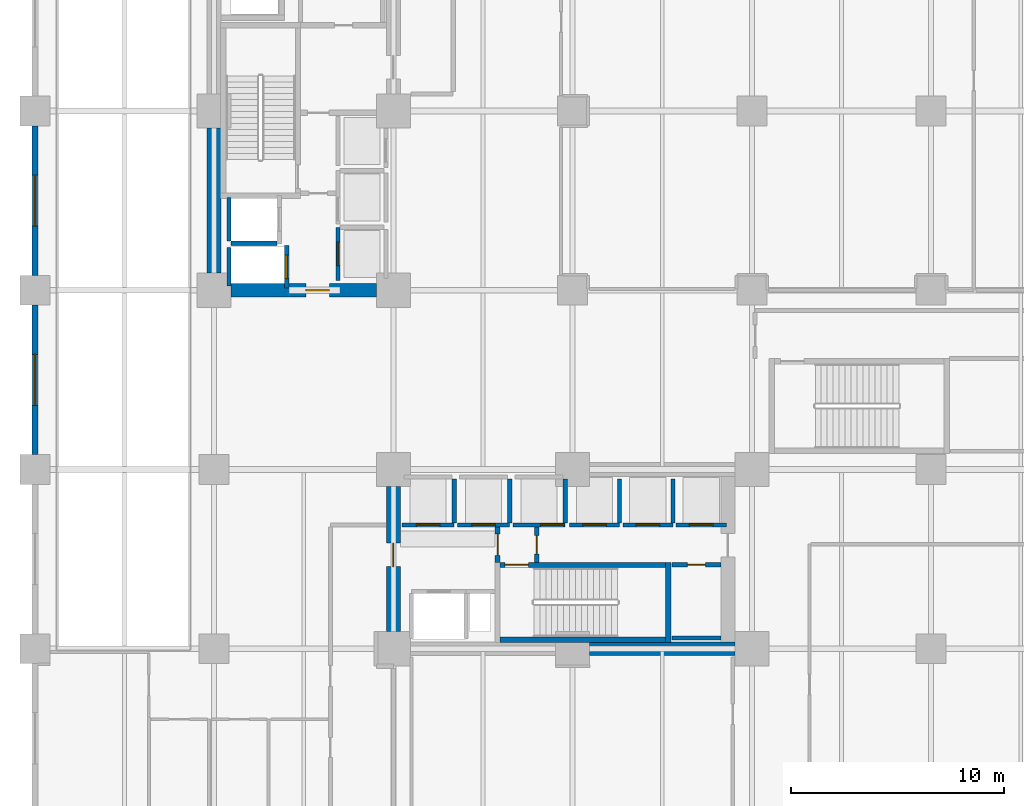
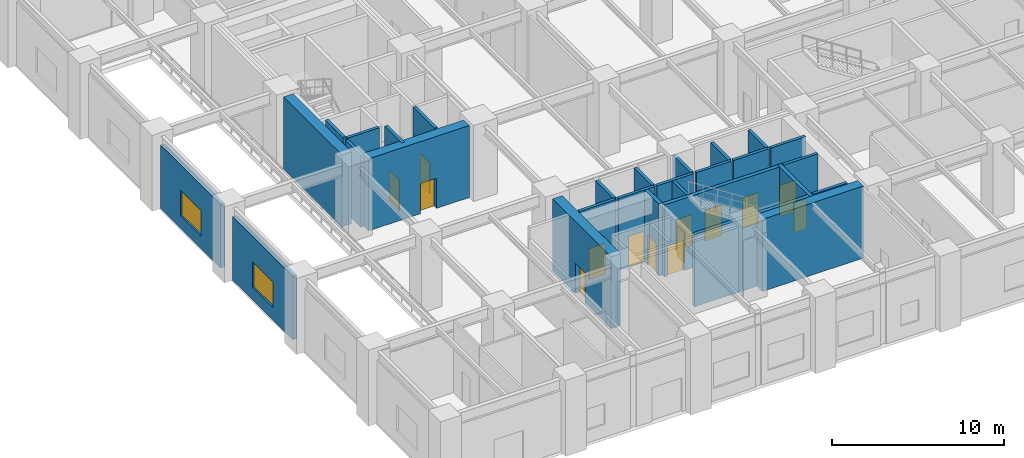
# One storey, part 4 of 13: 29 walls, 14 doors, 2 windows, 16 openings.
"""IFC4 building model written with IfcOpenShell, lengths in metres."""

from ifc_helpers import new_model, si_unit, direction, frame, frame_2d, origin, place, context, subcontext, project, spatial, rectangle, extrude, material, layer, layer_set, type_object, element, fill, save


model = new_model("IFC4")

# Units and contexts
model_context = context("Model", 3, precision=1e-05, world=origin(), true_north=direction((0.0, 1.0)))
body_context = subcontext(model_context, "Body", "Model", "MODEL_VIEW")
ifc_project = project(units=[si_unit("LENGTHUNIT", "METRE"), si_unit("AREAUNIT", "SQUARE_METRE"), si_unit("VOLUMEUNIT", "CUBIC_METRE"), si_unit("PLANEANGLEUNIT", "RADIAN"), si_unit("MASSUNIT", "GRAM", prefix="KILO")], contexts=[model_context])

# Site, building, storey
site_placement = place(None, origin())
site = spatial("IfcSite", under=ifc_project, at=site_placement, CompositionType="ELEMENT")
building_placement = place(site_placement, origin())
building = spatial("IfcBuilding", under=site, at=building_placement, Name="Nerrivon Quay Data Exchange", CompositionType="ELEMENT")
storey_placement = place(building_placement, origin())
storey = spatial("IfcBuildingStorey", under=building, at=storey_placement, Name="L00", CompositionType="ELEMENT", Elevation=0.0)

# Wall, opening, window
ifc_material_1 = material(Name="Precast concrete N50 (50 MPa)", Category="concrete")
ifc_layer_1 = layer(ifc_material_1, 0.280029296875)
ifc_layer_set_1 = layer_set([ifc_layer_1], Name="Precast concrete N50 (50 MPa)")
wall_type_1 = type_object("IfcWallType", Name="EW-PREC-280", PredefinedType="STANDARD", material=ifc_layer_set_1)
wall_1_placement = place(storey_placement, frame((0.0, 17.5, 0.0), z_axis=(0.0, 0.0, 1.0), x_axis=(0.0, 1.0, 0.0)))
wall_1 = element("IfcWall", 1, at=wall_1_placement, inside=storey, type_object=wall_type_1, Name="L00 Podium Exterior Wall 3", PredefinedType="STANDARD", context=body_context, shape_type="SweptSolid", body=[
    extrude(rectangle(XDim=7.0, YDim=0.280029296875, at=frame_2d((3.5, 0.0))), origin(), (0.0, 0.0, 1.0), 4.512939453125),
])
opening_1_placement = place(wall_1_placement, frame((2.300048828125, 0.0, 0.89990234375)))
opening_1 = element("IfcOpeningElement", 2, at=opening_1_placement, cuts=wall_1, Name="Opening WN1", PredefinedType="OPENING", context=body_context, shape_type="SweptSolid", body=[
    extrude(rectangle(XDim=2.39990234375, YDim=1.800048828125, at=frame_2d((1.199951171875, 0.89990234375))), frame((0.0, 0.14990234375, 0.0), z_axis=(0.0, -1.0, 0.0), x_axis=(1.0, 0.0, 0.0)), (0.0, 0.0, 1.0), 0.300048828125),
])
ifc_material_2 = material(Name="Double-glazed low-E solar control glass", Category="glass")
window_type = type_object("IfcWindowType", Name="WIN-W1-2400x1800", PartitioningType="SINGLE_PANEL", PredefinedType="WINDOW", material=ifc_material_2)
window_1_placement = place(opening_1_placement, origin())
window_1 = element("IfcWindow", 3, at=window_1_placement, inside=storey, type_object=window_type, Name="L00 Podium Window 3", OverallHeight=1.800048828125, OverallWidth=2.39990234375, PartitioningType="SINGLE_PANEL", PredefinedType="WINDOW", context=body_context, shape_type="SweptSolid", body=[
    extrude(rectangle(XDim=2.39990234375, YDim=1.800048828125, at=frame_2d((1.199951171875, 0.89990234375))), frame((0.0, 0.030029296875, 0.0), z_axis=(0.0, -1.0, 0.0), x_axis=(1.0, 0.0, 0.0)), (0.0, 0.0, 1.0), 0.06005859375),
])
fill(opening_1, window_1)

wall_2_placement = place(storey_placement, frame((0.0, 25.89990234375, 0.0), z_axis=(0.0, 0.0, 1.0), x_axis=(0.0, 1.0, 0.0)))
wall_2 = element("IfcWall", 4, at=wall_2_placement, inside=storey, type_object=wall_type_1, Name="L00 Podium Exterior Wall 4", PredefinedType="STANDARD", context=body_context, shape_type="SweptSolid", body=[
    extrude(rectangle(XDim=7.0, YDim=0.280029296875, at=frame_2d((3.5, 0.0))), origin(), (0.0, 0.0, 1.0), 4.512939453125),
])
opening_2_placement = place(wall_2_placement, frame((2.300048828125, 0.0, 0.89990234375)))
opening_2 = element("IfcOpeningElement", 5, at=opening_2_placement, cuts=wall_2, Name="Opening WN1", PredefinedType="OPENING", context=body_context, shape_type="SweptSolid", body=[
    extrude(rectangle(XDim=2.39990234375, YDim=1.800048828125, at=frame_2d((1.199951171875, 0.89990234375))), frame((0.0, 0.14990234375, 0.0), z_axis=(0.0, -1.0, 0.0), x_axis=(1.0, 0.0, 0.0)), (0.0, 0.0, 1.0), 0.300048828125),
])
window_2_placement = place(opening_2_placement, origin())
window_2 = element("IfcWindow", 6, at=window_2_placement, inside=storey, type_object=window_type, Name="L00 Podium Window 4", OverallHeight=1.800048828125, OverallWidth=2.39990234375, PartitioningType="SINGLE_PANEL", PredefinedType="WINDOW", context=body_context, shape_type="SweptSolid", body=[
    extrude(rectangle(XDim=2.39990234375, YDim=1.800048828125, at=frame_2d((1.199951171875, 0.89990234375))), frame((0.0, 0.030029296875, 0.0), z_axis=(0.0, -1.0, 0.0), x_axis=(1.0, 0.0, 0.0)), (0.0, 0.0, 1.0), 0.06005859375),
])
fill(opening_2, window_2)

# Wall
ifc_material_3 = material(Name="Concrete N80 (80 MPa)", Category="concrete")
ifc_layer_2 = layer(ifc_material_3, 0.64990234375)
ifc_layer_set_2 = layer_set([ifc_layer_2], Name="Concrete N80 (80 MPa)")
wall_type_2 = type_object("IfcWallType", Name="WALL-CW-850", PredefinedType="SHEAR", material=ifc_layer_set_2)
wall_3_placement = place(storey_placement, frame((8.39990234375, 26.0, 0.0), z_axis=(0.0, 0.0, 1.0), x_axis=(0.0, 1.0, 0.0)))
element("IfcWall", 7, at=wall_3_placement, inside=storey, type_object=wall_type_2, Name="L00 West Split-Core Shear Wall WCW-W1", PredefinedType="SHEAR", context=body_context, shape_type="SweptSolid", body=[
    extrude(rectangle(XDim=6.800048828125, YDim=0.64990234375, at=frame_2d((3.39990234375, 0.0))), origin(), (0.0, 0.0, 1.0), 5.125),
])

# Wall, opening, door
wall_4_placement = place(storey_placement, frame((9.199951171875, 25.199951171875, 0.0), z_axis=(0.0, 0.0, 1.0), x_axis=(1.0, 0.0, 0.0)))
wall_4 = element("IfcWall", 8, at=wall_4_placement, inside=storey, type_object=wall_type_2, Name="L00 West Split-Core Shear Wall WCW-S1", PredefinedType="SHEAR", context=body_context, shape_type="SweptSolid", body=[
    extrude(rectangle(XDim=6.800048828125, YDim=0.64990234375, at=frame_2d((3.39990234375, 0.0))), origin(), (0.0, 0.0, 1.0), 5.125),
])
opening_3_placement = place(wall_4_placement, frame((3.5, 0.0, 0.0)))
opening_3 = element("IfcOpeningElement", 9, at=opening_3_placement, cuts=wall_4, Name="Opening FD-120", PredefinedType="OPENING", context=body_context, shape_type="SweptSolid", body=[
    extrude(rectangle(XDim=1.10009765625, YDim=2.14990234375, at=frame_2d((0.550048828125, 1.074951171875))), frame((0.0, 0.3349609375, 0.0), z_axis=(0.0, -1.0, 0.0), x_axis=(1.0, 0.0, 0.0)), (0.0, 0.0, 1.0), 0.669921875),
])
ifc_material_4 = material(Name="Powder-coated galvanized steel sheet", Category="steel")
door_type_1 = type_object("IfcDoorType", Name="DR-FD120-1100", OperationType="NOTDEFINED", PredefinedType="DOOR", material=ifc_material_4)
door_1_placement = place(opening_3_placement, origin())
door_1 = element("IfcDoor", 10, at=door_1_placement, inside=storey, type_object=door_type_1, Name="L00 West Core Lobby Fire Door", OperationType="SINGLE_SWING_RIGHT", OverallHeight=2.14990234375, OverallWidth=1.10009765625, PredefinedType="DOOR", context=body_context, shape_type="SweptSolid", body=[
    extrude(rectangle(XDim=1.10009765625, YDim=2.14990234375, at=frame_2d((0.550048828125, 1.074951171875))), frame((0.0, 0.02490234375, 0.0), z_axis=(0.0, -1.0, 0.0), x_axis=(1.0, 0.0, 0.0)), (0.0, 0.0, 1.0), 0.050048828125),
])
fill(opening_3, door_1)

# Wall
wall_5_placement = place(storey_placement, frame((26.0, 8.39990234375, 0.0), z_axis=(0.0, 0.0, 1.0), x_axis=(1.0, 0.0, 0.0)))
element("IfcWall", 11, at=wall_5_placement, inside=storey, type_object=wall_type_2, Name="L00 East Split-Core Shear Wall ECW-S2", PredefinedType="SHEAR", context=body_context, shape_type="SweptSolid", body=[
    extrude(rectangle(XDim=6.800048828125, YDim=0.64990234375, at=frame_2d((3.39990234375, 0.0))), origin(), (0.0, 0.0, 1.0), 5.125),
])

# Wall, opening, door
wall_6_placement = place(storey_placement, frame((16.800048828125, 9.199951171875, 0.0), z_axis=(0.0, 0.0, 1.0), x_axis=(0.0, 1.0, 0.0)))
wall_6 = element("IfcWall", 12, at=wall_6_placement, inside=storey, type_object=wall_type_2, Name="L00 East Split-Core Shear Wall ECW-W1", PredefinedType="SHEAR", context=body_context, shape_type="SweptSolid", body=[
    extrude(rectangle(XDim=6.800048828125, YDim=0.64990234375, at=frame_2d((3.39990234375, 0.0))), origin(), (0.0, 0.0, 1.0), 5.125),
])
opening_4_placement = place(wall_6_placement, frame((3.050048828125, 0.0, 0.0)))
opening_4 = element("IfcOpeningElement", 13, at=opening_4_placement, cuts=wall_6, Name="Opening FD-120", PredefinedType="OPENING", context=body_context, shape_type="SweptSolid", body=[
    extrude(rectangle(XDim=1.10009765625, YDim=2.14990234375, at=frame_2d((0.550048828125, 1.074951171875))), frame((0.0, 0.3349609375, 0.0), z_axis=(0.0, -1.0, 0.0), x_axis=(1.0, 0.0, 0.0)), (0.0, 0.0, 1.0), 0.669921875),
])
door_2_placement = place(opening_4_placement, origin())
door_2 = element("IfcDoor", 14, at=door_2_placement, inside=storey, type_object=door_type_1, Name="L00 East Core Lobby Fire Door", OperationType="SINGLE_SWING_RIGHT", OverallHeight=2.14990234375, OverallWidth=1.10009765625, PredefinedType="DOOR", context=body_context, shape_type="SweptSolid", body=[
    extrude(rectangle(XDim=1.10009765625, YDim=2.14990234375, at=frame_2d((0.550048828125, 1.074951171875))), frame((0.0, 0.02490234375, 0.0), z_axis=(0.0, -1.0, 0.0), x_axis=(1.0, 0.0, 0.0)), (0.0, 0.0, 1.0), 0.050048828125),
])
fill(opening_4, door_2)

ifc_material_5 = material(Name="Gypsum plasterboard on cold-formed framing", Category="gypsum")
ifc_layer_3 = layer(ifc_material_5, 0.199951171875)
ifc_layer_set_3 = layer_set([ifc_layer_3], Name="Gypsum plasterboard on cold-formed framing")
wall_type_3 = type_object("IfcWallType", Name="WALL-FW-200", PredefinedType="PARTITIONING", material=ifc_layer_set_3)
wall_7_placement = place(storey_placement, frame((23.52001953125, 14.10009765625, 0.0), z_axis=(0.0, 0.0, 1.0), x_axis=(0.0, -1.0, 0.0)))
wall_7 = element("IfcWall", 15, at=wall_7_placement, inside=storey, type_object=wall_type_3, Name="L00 East Stair Protected Exit Vestibule Wall", PredefinedType="PARTITIONING", context=body_context, shape_type="SweptSolid", body=[
    extrude(rectangle(XDim=1.650146484375, YDim=0.199951171875, at=frame_2d((0.8251953125, 0.0))), origin(), (0.0, 0.0, 1.0), 5.125),
])
opening_5_placement = place(wall_7_placement, frame((0.39990234375, 0.0, 0.0)))
opening_5 = element("IfcOpeningElement", 16, at=opening_5_placement, cuts=wall_7, Name="Opening FD-60S", PredefinedType="OPENING", context=body_context, shape_type="SweptSolid", body=[
    extrude(rectangle(XDim=0.85009765625, YDim=2.14990234375, at=frame_2d((0.425048828125, 1.074951171875))), frame((0.0, 0.10986328125, 0.0), z_axis=(0.0, -1.0, 0.0), x_axis=(1.0, 0.0, 0.0)), (0.0, 0.0, 1.0), 0.219970703125),
])
ifc_material_6 = material(Name="Engineered hardwood timber", Category="wood")
door_type_2 = type_object("IfcDoorType", Name="DR-FD60-850", OperationType="NOTDEFINED", PredefinedType="DOOR", material=ifc_material_6)
door_3_placement = place(opening_5_placement, origin())
door_3 = element("IfcDoor", 17, at=door_3_placement, inside=storey, type_object=door_type_2, Name="L00 East Lift Lobby to Exit Vestibule Fire Door", OperationType="SINGLE_SWING_LEFT", OverallHeight=2.14990234375, OverallWidth=0.85009765625, PredefinedType="DOOR", context=body_context, shape_type="SweptSolid", body=[
    extrude(rectangle(XDim=0.85009765625, YDim=2.14990234375, at=frame_2d((0.425048828125, 1.074951171875))), frame((0.0, 0.02490234375, 0.0), z_axis=(0.0, -1.0, 0.0), x_axis=(1.0, 0.0, 0.0)), (0.0, 0.0, 1.0), 0.050048828125),
])
fill(opening_5, door_3)

# Walls
wall_8_placement = place(storey_placement, frame((9.10009765625, 27.5, 0.0), z_axis=(0.0, 0.0, 1.0), x_axis=(0.0, 1.0, 0.0)))
element("IfcWall", 18, at=wall_8_placement, inside=storey, type_object=wall_type_3, Name="L00 Lift Shaft Wall FFL-1 WEST", PredefinedType="PARTITIONING", context=body_context, shape_type="SweptSolid", body=[
    extrude(rectangle(XDim=2.050048828125, YDim=0.199951171875, at=frame_2d((1.02490234375, 0.0))), origin(), (0.0, 0.0, 1.0), 5.125),
])
wall_9_placement = place(storey_placement, frame((9.199951171875, 27.39990234375, 0.0), z_axis=(0.0, 0.0, 1.0), x_axis=(1.0, 0.0, 0.0)))
element("IfcWall", 19, at=wall_9_placement, inside=storey, type_object=wall_type_3, Name="L00 Lift Shaft Wall FFL-1 SOUTH", PredefinedType="PARTITIONING", context=body_context, shape_type="SweptSolid", body=[
    extrude(rectangle(XDim=2.150146484375, YDim=0.199951171875, at=frame_2d((1.0751953125, 0.0))), origin(), (0.0, 0.0, 1.0), 5.125),
])

# Wall, opening, door
wall_10_placement = place(storey_placement, frame((11.800048828125, 25.300048828125, 0.0), z_axis=(0.0, 0.0, 1.0), x_axis=(0.0, 1.0, 0.0)))
wall_10 = element("IfcWall", 20, at=wall_10_placement, inside=storey, type_object=wall_type_3, Name="L00 Lift Front Wall SVL-1", PredefinedType="PARTITIONING", context=body_context, shape_type="SweptSolid", body=[
    extrude(rectangle(XDim=2.0, YDim=0.199951171875, at=frame_2d((1.0, 0.0))), origin(), (0.0, 0.0, 1.0), 5.125),
])
opening_6_placement = place(wall_10_placement, frame((0.449951171875, 0.0, 0.0)))
opening_6 = element("IfcOpeningElement", 21, at=opening_6_placement, cuts=wall_10, Name="Opening LD-120", PredefinedType="OPENING", context=body_context, shape_type="SweptSolid", body=[
    extrude(rectangle(XDim=1.10009765625, YDim=2.199951171875, at=frame_2d((0.550048828125, 1.10009765625))), frame((0.0, 0.10986328125, 0.0), z_axis=(0.0, -1.0, 0.0), x_axis=(1.0, 0.0, 0.0)), (0.0, 0.0, 1.0), 0.219970703125),
])
door_type_3 = type_object("IfcDoorType", Name="DR-LIFT-LD120", OperationType="DOUBLE_DOOR_SLIDING", PredefinedType="DOOR", material=ifc_material_4)
door_4_placement = place(opening_6_placement, origin())
door_4 = element("IfcDoor", 22, at=door_4_placement, inside=storey, type_object=door_type_3, Name="L00 Lift Landing Sliding Door SVL-1", OperationType="DOUBLE_DOOR_SLIDING", OverallHeight=2.199951171875, OverallWidth=1.10009765625, PredefinedType="DOOR", context=body_context, shape_type="SweptSolid", body=[
    extrude(rectangle(XDim=1.10009765625, YDim=2.199951171875, at=frame_2d((0.550048828125, 1.10009765625))), frame((0.0, 0.02490234375, 0.0), z_axis=(0.0, -1.0, 0.0), x_axis=(1.0, 0.0, 0.0)), (0.0, 0.0, 1.0), 0.050048828125),
])
fill(opening_6, door_4)

# Wall
wall_11_placement = place(storey_placement, frame((9.10009765625, 25.39990234375, 0.0), z_axis=(0.0, 0.0, 1.0), x_axis=(0.0, 1.0, 0.0)))
element("IfcWall", 23, at=wall_11_placement, inside=storey, type_object=wall_type_3, Name="L00 Lift Shaft Wall SVL-1 WEST", PredefinedType="PARTITIONING", context=body_context, shape_type="SweptSolid", body=[
    extrude(rectangle(XDim=1.800048828125, YDim=0.199951171875, at=frame_2d((0.89990234375, 0.0))), origin(), (0.0, 0.0, 1.0), 5.125),
])

# Wall, opening, door
wall_12_placement = place(storey_placement, frame((14.199951171875, 25.64990234375, 0.0), z_axis=(0.0, 0.0, 1.0), x_axis=(0.0, 1.0, 0.0)))
wall_12 = element("IfcWall", 24, at=wall_12_placement, inside=storey, type_object=wall_type_3, Name="L00 Lift Front Wall PL1", PredefinedType="PARTITIONING", context=body_context, shape_type="SweptSolid", body=[
    extrude(rectangle(XDim=2.5, YDim=0.199951171875, at=frame_2d((1.25, 0.0))), origin(), (0.0, 0.0, 1.0), 5.125),
])
opening_7_placement = place(wall_12_placement, frame((0.699951171875, 0.0, 0.0)))
opening_7 = element("IfcOpeningElement", 25, at=opening_7_placement, cuts=wall_12, Name="Opening LD-120", PredefinedType="OPENING", context=body_context, shape_type="SweptSolid", body=[
    extrude(rectangle(XDim=1.10009765625, YDim=2.199951171875, at=frame_2d((0.550048828125, 1.10009765625))), frame((0.0, 0.10986328125, 0.0), z_axis=(0.0, -1.0, 0.0), x_axis=(1.0, 0.0, 0.0)), (0.0, 0.0, 1.0), 0.219970703125),
])
door_5_placement = place(opening_7_placement, origin())
door_5 = element("IfcDoor", 26, at=door_5_placement, inside=storey, type_object=door_type_3, Name="L00 Lift Landing Sliding Door PL1", OperationType="DOUBLE_DOOR_SLIDING", OverallHeight=2.199951171875, OverallWidth=1.10009765625, PredefinedType="DOOR", context=body_context, shape_type="SweptSolid", body=[
    extrude(rectangle(XDim=1.10009765625, YDim=2.199951171875, at=frame_2d((0.550048828125, 1.10009765625))), frame((0.0, 0.02490234375, 0.0), z_axis=(0.0, -1.0, 0.0), x_axis=(1.0, 0.0, 0.0)), (0.0, 0.0, 1.0), 0.050048828125),
])
fill(opening_7, door_5)

wall_13_placement = place(storey_placement, frame((17.199951171875, 14.199951171875, 0.0), z_axis=(0.0, 0.0, 1.0), x_axis=(1.0, 0.0, 0.0)))
wall_13 = element("IfcWall", 27, at=wall_13_placement, inside=storey, type_object=wall_type_3, Name="L00 Lift Front Wall PL4", PredefinedType="PARTITIONING", context=body_context, shape_type="SweptSolid", body=[
    extrude(rectangle(XDim=2.449951171875, YDim=0.199951171875, at=frame_2d((1.22509765625, 0.0))), origin(), (0.0, 0.0, 1.0), 5.125),
])
opening_8_placement = place(wall_13_placement, frame((0.675048828125, 0.0, 0.0)))
opening_8 = element("IfcOpeningElement", 28, at=opening_8_placement, cuts=wall_13, Name="Opening LD-120", PredefinedType="OPENING", context=body_context, shape_type="SweptSolid", body=[
    extrude(rectangle(XDim=1.10009765625, YDim=2.199951171875, at=frame_2d((0.550048828125, 1.10009765625))), frame((0.0, 0.10986328125, 0.0), z_axis=(0.0, -1.0, 0.0), x_axis=(1.0, 0.0, 0.0)), (0.0, 0.0, 1.0), 0.219970703125),
])
door_6_placement = place(opening_8_placement, origin())
door_6 = element("IfcDoor", 29, at=door_6_placement, inside=storey, type_object=door_type_3, Name="L00 Lift Landing Sliding Door PL4", OperationType="DOUBLE_DOOR_SLIDING", OverallHeight=2.199951171875, OverallWidth=1.10009765625, PredefinedType="DOOR", context=body_context, shape_type="SweptSolid", body=[
    extrude(rectangle(XDim=1.10009765625, YDim=2.199951171875, at=frame_2d((0.550048828125, 1.10009765625))), frame((0.0, 0.02490234375, 0.0), z_axis=(0.0, -1.0, 0.0), x_axis=(1.0, 0.0, 0.0)), (0.0, 0.0, 1.0), 0.050048828125),
])
fill(opening_8, door_6)

# Wall
wall_14_placement = place(storey_placement, frame((19.64990234375, 14.300048828125, 0.0), z_axis=(0.0, 0.0, 1.0), x_axis=(0.0, 1.0, 0.0)))
element("IfcWall", 30, at=wall_14_placement, inside=storey, type_object=wall_type_3, Name="L00 Lift Shaft Wall PL4 EAST", PredefinedType="PARTITIONING", context=body_context, shape_type="SweptSolid", body=[
    extrude(rectangle(XDim=2.050048828125, YDim=0.199951171875, at=frame_2d((1.02490234375, 0.0))), origin(), (0.0, 0.0, 1.0), 5.125),
])

# Wall, opening, door
wall_15_placement = place(storey_placement, frame((19.800048828125, 14.199951171875, 0.0), z_axis=(0.0, 0.0, 1.0), x_axis=(1.0, 0.0, 0.0)))
wall_15 = element("IfcWall", 31, at=wall_15_placement, inside=storey, type_object=wall_type_3, Name="L00 Lift Front Wall PL5", PredefinedType="PARTITIONING", context=body_context, shape_type="SweptSolid", body=[
    extrude(rectangle(XDim=2.449951171875, YDim=0.199951171875, at=frame_2d((1.22509765625, 0.0))), origin(), (0.0, 0.0, 1.0), 5.125),
])
opening_9_placement = place(wall_15_placement, frame((0.675048828125, 0.0, 0.0)))
opening_9 = element("IfcOpeningElement", 32, at=opening_9_placement, cuts=wall_15, Name="Opening LD-120", PredefinedType="OPENING", context=body_context, shape_type="SweptSolid", body=[
    extrude(rectangle(XDim=1.10009765625, YDim=2.199951171875, at=frame_2d((0.550048828125, 1.10009765625))), frame((0.0, 0.10986328125, 0.0), z_axis=(0.0, -1.0, 0.0), x_axis=(1.0, 0.0, 0.0)), (0.0, 0.0, 1.0), 0.219970703125),
])
door_7_placement = place(opening_9_placement, origin())
door_7 = element("IfcDoor", 33, at=door_7_placement, inside=storey, type_object=door_type_3, Name="L00 Lift Landing Sliding Door PL5", OperationType="DOUBLE_DOOR_SLIDING", OverallHeight=2.199951171875, OverallWidth=1.10009765625, PredefinedType="DOOR", context=body_context, shape_type="SweptSolid", body=[
    extrude(rectangle(XDim=1.10009765625, YDim=2.199951171875, at=frame_2d((0.550048828125, 1.10009765625))), frame((0.0, 0.02490234375, 0.0), z_axis=(0.0, -1.0, 0.0), x_axis=(1.0, 0.0, 0.0)), (0.0, 0.0, 1.0), 0.050048828125),
])
fill(opening_9, door_7)

# Wall
wall_16_placement = place(storey_placement, frame((22.25, 14.300048828125, 0.0), z_axis=(0.0, 0.0, 1.0), x_axis=(0.0, 1.0, 0.0)))
element("IfcWall", 34, at=wall_16_placement, inside=storey, type_object=wall_type_3, Name="L00 Lift Shaft Wall PL5 EAST", PredefinedType="PARTITIONING", context=body_context, shape_type="SweptSolid", body=[
    extrude(rectangle(XDim=2.050048828125, YDim=0.199951171875, at=frame_2d((1.02490234375, 0.0))), origin(), (0.0, 0.0, 1.0), 5.125),
])

# Wall, opening, door
wall_17_placement = place(storey_placement, frame((22.39990234375, 14.199951171875, 0.0), z_axis=(0.0, 0.0, 1.0), x_axis=(1.0, 0.0, 0.0)))
wall_17 = element("IfcWall", 35, at=wall_17_placement, inside=storey, type_object=wall_type_3, Name="L00 Lift Front Wall PL6", PredefinedType="PARTITIONING", context=body_context, shape_type="SweptSolid", body=[
    extrude(rectangle(XDim=2.4501953125, YDim=0.199951171875, at=frame_2d((1.22509765625, 0.0))), origin(), (0.0, 0.0, 1.0), 5.125),
])
opening_10_placement = place(wall_17_placement, frame((1.300048828125, 0.0, 0.0)))
opening_10 = element("IfcOpeningElement", 36, at=opening_10_placement, cuts=wall_17, Name="Opening LD-120", PredefinedType="OPENING", context=body_context, shape_type="SweptSolid", body=[
    extrude(rectangle(XDim=1.10009765625, YDim=2.199951171875, at=frame_2d((0.550048828125, 1.10009765625))), frame((0.0, 0.10986328125, 0.0), z_axis=(0.0, -1.0, 0.0), x_axis=(1.0, 0.0, 0.0)), (0.0, 0.0, 1.0), 0.219970703125),
])
door_8_placement = place(opening_10_placement, origin())
door_8 = element("IfcDoor", 37, at=door_8_placement, inside=storey, type_object=door_type_3, Name="L00 Lift Landing Sliding Door PL6", OperationType="DOUBLE_DOOR_SLIDING", OverallHeight=2.199951171875, OverallWidth=1.10009765625, PredefinedType="DOOR", context=body_context, shape_type="SweptSolid", body=[
    extrude(rectangle(XDim=1.10009765625, YDim=2.199951171875, at=frame_2d((0.550048828125, 1.10009765625))), frame((0.0, 0.02490234375, 0.0), z_axis=(0.0, -1.0, 0.0), x_axis=(1.0, 0.0, 0.0)), (0.0, 0.0, 1.0), 0.050048828125),
])
fill(opening_10, door_8)

# Wall
wall_18_placement = place(storey_placement, frame((24.85009765625, 14.300048828125, 0.0), z_axis=(0.0, 0.0, 1.0), x_axis=(0.0, 1.0, 0.0)))
element("IfcWall", 38, at=wall_18_placement, inside=storey, type_object=wall_type_3, Name="L00 Lift Shaft Wall PL6 EAST", PredefinedType="PARTITIONING", context=body_context, shape_type="SweptSolid", body=[
    extrude(rectangle(XDim=2.050048828125, YDim=0.199951171875, at=frame_2d((1.02490234375, 0.0))), origin(), (0.0, 0.0, 1.0), 5.125),
])

# Wall, opening, door
wall_19_placement = place(storey_placement, frame((25.050048828125, 14.199951171875, 0.0), z_axis=(0.0, 0.0, 1.0), x_axis=(1.0, 0.0, 0.0)))
wall_19 = element("IfcWall", 39, at=wall_19_placement, inside=storey, type_object=wall_type_3, Name="L00 Lift Front Wall PL7", PredefinedType="PARTITIONING", context=body_context, shape_type="SweptSolid", body=[
    extrude(rectangle(XDim=2.349853515625, YDim=0.199951171875, at=frame_2d((1.1748046875, 0.0))), origin(), (0.0, 0.0, 1.0), 5.125),
])
opening_11_placement = place(wall_19_placement, frame((0.625, 0.0, 0.0)))
opening_11 = element("IfcOpeningElement", 40, at=opening_11_placement, cuts=wall_19, Name="Opening LD-120", PredefinedType="OPENING", context=body_context, shape_type="SweptSolid", body=[
    extrude(rectangle(XDim=1.10009765625, YDim=2.199951171875, at=frame_2d((0.550048828125, 1.10009765625))), frame((0.0, 0.10986328125, 0.0), z_axis=(0.0, -1.0, 0.0), x_axis=(1.0, 0.0, 0.0)), (0.0, 0.0, 1.0), 0.219970703125),
])
door_9_placement = place(opening_11_placement, origin())
door_9 = element("IfcDoor", 41, at=door_9_placement, inside=storey, type_object=door_type_3, Name="L00 Lift Landing Sliding Door PL7", OperationType="DOUBLE_DOOR_SLIDING", OverallHeight=2.199951171875, OverallWidth=1.10009765625, PredefinedType="DOOR", context=body_context, shape_type="SweptSolid", body=[
    extrude(rectangle(XDim=1.10009765625, YDim=2.199951171875, at=frame_2d((0.550048828125, 1.10009765625))), frame((0.0, 0.02490234375, 0.0), z_axis=(0.0, -1.0, 0.0), x_axis=(1.0, 0.0, 0.0)), (0.0, 0.0, 1.0), 0.050048828125),
])
fill(opening_11, door_9)

# Wall
wall_20_placement = place(storey_placement, frame((27.39990234375, 14.300048828125, 0.0), z_axis=(0.0, 0.0, 1.0), x_axis=(0.0, 1.0, 0.0)))
element("IfcWall", 42, at=wall_20_placement, inside=storey, type_object=wall_type_3, Name="L00 Lift Shaft Wall PL7 EAST", PredefinedType="PARTITIONING", context=body_context, shape_type="SweptSolid", body=[
    extrude(rectangle(XDim=2.050048828125, YDim=0.199951171875, at=frame_2d((1.02490234375, 0.0))), origin(), (0.0, 0.0, 1.0), 5.125),
])

# Wall, opening, door
wall_21_placement = place(storey_placement, frame((27.550048828125, 14.199951171875, 0.0), z_axis=(0.0, 0.0, 1.0), x_axis=(1.0, 0.0, 0.0)))
wall_21 = element("IfcWall", 43, at=wall_21_placement, inside=storey, type_object=wall_type_3, Name="L00 Lift Front Wall PL8", PredefinedType="PARTITIONING", context=body_context, shape_type="SweptSolid", body=[
    extrude(rectangle(XDim=2.349853515625, YDim=0.199951171875, at=frame_2d((1.1748046875, 0.0))), origin(), (0.0, 0.0, 1.0), 5.125),
])
opening_12_placement = place(wall_21_placement, frame((0.625, 0.0, 0.0)))
opening_12 = element("IfcOpeningElement", 44, at=opening_12_placement, cuts=wall_21, Name="Opening LD-120", PredefinedType="OPENING", context=body_context, shape_type="SweptSolid", body=[
    extrude(rectangle(XDim=1.10009765625, YDim=2.199951171875, at=frame_2d((0.550048828125, 1.10009765625))), frame((0.0, 0.10986328125, 0.0), z_axis=(0.0, -1.0, 0.0), x_axis=(1.0, 0.0, 0.0)), (0.0, 0.0, 1.0), 0.219970703125),
])
door_10_placement = place(opening_12_placement, origin())
door_10 = element("IfcDoor", 45, at=door_10_placement, inside=storey, type_object=door_type_3, Name="L00 Lift Landing Sliding Door PL8", OperationType="DOUBLE_DOOR_SLIDING", OverallHeight=2.199951171875, OverallWidth=1.10009765625, PredefinedType="DOOR", context=body_context, shape_type="SweptSolid", body=[
    extrude(rectangle(XDim=1.10009765625, YDim=2.199951171875, at=frame_2d((0.550048828125, 1.10009765625))), frame((0.0, 0.02490234375, 0.0), z_axis=(0.0, -1.0, 0.0), x_axis=(1.0, 0.0, 0.0)), (0.0, 0.0, 1.0), 0.050048828125),
])
fill(opening_12, door_10)

# Wall
wall_22_placement = place(storey_placement, frame((29.89990234375, 14.300048828125, 0.0), z_axis=(0.0, 0.0, 1.0), x_axis=(0.0, 1.0, 0.0)))
element("IfcWall", 46, at=wall_22_placement, inside=storey, type_object=wall_type_3, Name="L00 Lift Shaft Wall PL8 EAST", PredefinedType="PARTITIONING", context=body_context, shape_type="SweptSolid", body=[
    extrude(rectangle(XDim=2.050048828125, YDim=0.199951171875, at=frame_2d((1.02490234375, 0.0))), origin(), (0.0, 0.0, 1.0), 5.125),
])

# Wall, opening, door
wall_23_placement = place(storey_placement, frame((30.050048828125, 14.199951171875, 0.0), z_axis=(0.0, 0.0, 1.0), x_axis=(1.0, 0.0, 0.0)))
wall_23 = element("IfcWall", 47, at=wall_23_placement, inside=storey, type_object=wall_type_3, Name="L00 Lift Front Wall PL9", PredefinedType="PARTITIONING", context=body_context, shape_type="SweptSolid", body=[
    extrude(rectangle(XDim=2.349853515625, YDim=0.199951171875, at=frame_2d((1.1748046875, 0.0))), origin(), (0.0, 0.0, 1.0), 5.125),
])
opening_13_placement = place(wall_23_placement, frame((0.625, 0.0, 0.0)))
opening_13 = element("IfcOpeningElement", 48, at=opening_13_placement, cuts=wall_23, Name="Opening LD-120", PredefinedType="OPENING", context=body_context, shape_type="SweptSolid", body=[
    extrude(rectangle(XDim=1.10009765625, YDim=2.199951171875, at=frame_2d((0.550048828125, 1.10009765625))), frame((0.0, 0.10986328125, 0.0), z_axis=(0.0, -1.0, 0.0), x_axis=(1.0, 0.0, 0.0)), (0.0, 0.0, 1.0), 0.219970703125),
])
door_11_placement = place(opening_13_placement, origin())
door_11 = element("IfcDoor", 49, at=door_11_placement, inside=storey, type_object=door_type_3, Name="L00 Lift Landing Sliding Door PL9", OperationType="DOUBLE_DOOR_SLIDING", OverallHeight=2.199951171875, OverallWidth=1.10009765625, PredefinedType="DOOR", context=body_context, shape_type="SweptSolid", body=[
    extrude(rectangle(XDim=1.10009765625, YDim=2.199951171875, at=frame_2d((0.550048828125, 1.10009765625))), frame((0.0, 0.02490234375, 0.0), z_axis=(0.0, -1.0, 0.0), x_axis=(1.0, 0.0, 0.0)), (0.0, 0.0, 1.0), 0.050048828125),
])
fill(opening_13, door_11)

wall_24_placement = place(storey_placement, frame((32.14599609375, 12.330078125, 0.0), z_axis=(0.0, 0.0, 1.0), x_axis=(-1.0, 0.0, 0.0)))
wall_24 = element("IfcWall", 50, at=wall_24_placement, inside=storey, type_object=wall_type_3, Name="L00 Partition East Telecom Closet", PredefinedType="PARTITIONING", context=body_context, shape_type="SweptSolid", body=[
    extrude(rectangle(XDim=2.2958984375, YDim=0.199951171875, at=frame_2d((1.14794921875, 0.0))), origin(), (0.0, 0.0, 1.0), 5.125),
])
opening_14_placement = place(wall_24_placement, frame((0.722900390625, 0.0, 0.0)))
opening_14 = element("IfcOpeningElement", 51, at=opening_14_placement, cuts=wall_24, Name="Opening FD-60S", PredefinedType="OPENING", context=body_context, shape_type="SweptSolid", body=[
    extrude(rectangle(XDim=0.85009765625, YDim=2.14990234375, at=frame_2d((0.425048828125, 1.074951171875))), frame((0.0, 0.10986328125, 0.0), z_axis=(0.0, -1.0, 0.0), x_axis=(1.0, 0.0, 0.0)), (0.0, 0.0, 1.0), 0.219970703125),
])
door_12_placement = place(opening_14_placement, origin())
door_12 = element("IfcDoor", 52, at=door_12_placement, inside=storey, type_object=door_type_2, Name="L00 Door East Telecom Closet", OperationType="SINGLE_SWING_RIGHT", OverallHeight=2.14990234375, OverallWidth=0.85009765625, PredefinedType="DOOR", context=body_context, shape_type="SweptSolid", body=[
    extrude(rectangle(XDim=0.85009765625, YDim=2.14990234375, at=frame_2d((0.425048828125, 1.074951171875))), frame((0.0, 0.02490234375, 0.0), z_axis=(0.0, -1.0, 0.0), x_axis=(1.0, 0.0, 0.0)), (0.0, 0.0, 1.0), 0.050048828125),
])
fill(opening_14, door_12)

# Walls
wall_25_placement = place(storey_placement, frame((29.85009765625, 8.89990234375, 0.0), z_axis=(0.0, 0.0, 1.0), x_axis=(1.0, 0.0, 0.0)))
element("IfcWall", 53, at=wall_25_placement, inside=storey, type_object=wall_type_3, Name="L00 Partition East Telecom Closet", PredefinedType="PARTITIONING", context=body_context, shape_type="SweptSolid", body=[
    extrude(rectangle(XDim=2.2958984375, YDim=0.199951171875, at=frame_2d((1.14794921875, 0.0))), origin(), (0.0, 0.0, 1.0), 5.125),
])
ifc_material_7 = material(Name="Concrete N50 (50 MPa)", Category="concrete")
ifc_layer_4 = layer(ifc_material_7, 0.25)
ifc_layer_set_4 = layer_set([ifc_layer_4], Name="Concrete N50 (50 MPa)")
wall_type_4 = type_object("IfcWallType", Name="WALL-SW-250", PredefinedType="SHEAR", material=ifc_layer_set_4)
wall_26_placement = place(storey_placement, frame((29.675048828125, 8.699951171875, 0.0), z_axis=(0.0, 0.0, 1.0), x_axis=(0.0, 1.0, 0.0)))
element("IfcWall", 54, at=wall_26_placement, inside=storey, type_object=wall_type_4, Name="L00 ST02 Structural Stair Core Wall FAR", PredefinedType="SHEAR", context=body_context, shape_type="SweptSolid", body=[
    extrude(rectangle(XDim=3.75, YDim=0.25, at=frame_2d((1.875, 0.0))), origin(), (0.0, 0.0, 1.0), 5.125),
])
wall_27_placement = place(storey_placement, frame((21.800048828125, 8.824951171875, 0.0), z_axis=(0.0, 0.0, 1.0), x_axis=(1.0, 0.0, 0.0)))
element("IfcWall", 55, at=wall_27_placement, inside=storey, type_object=wall_type_4, Name="L00 ST02 Structural Stair Core Wall LEFT", PredefinedType="SHEAR", context=body_context, shape_type="SweptSolid", body=[
    extrude(rectangle(XDim=7.75, YDim=0.25, at=frame_2d((3.875, 0.0))), origin(), (0.0, 0.0, 1.0), 5.125),
])

# Wall, opening, door
wall_28_placement = place(storey_placement, frame((21.800048828125, 12.324951171875, 0.0), z_axis=(0.0, 0.0, 1.0), x_axis=(1.0, 0.0, 0.0)))
wall_28 = element("IfcWall", 56, at=wall_28_placement, inside=storey, type_object=wall_type_4, Name="L00 ST02 Structural Stair Core Wall RIGHT", PredefinedType="SHEAR", context=body_context, shape_type="SweptSolid", body=[
    extrude(rectangle(XDim=7.75, YDim=0.25, at=frame_2d((3.875, 0.0))), origin(), (0.0, 0.0, 1.0), 5.125),
])
opening_15_placement = place(wall_28_placement, frame((0.219970703125, 0.0, 0.0)))
opening_15 = element("IfcOpeningElement", 57, at=opening_15_placement, cuts=wall_28, Name="Opening FD-120", PredefinedType="OPENING", context=body_context, shape_type="SweptSolid", body=[
    extrude(rectangle(XDim=1.10009765625, YDim=2.14990234375, at=frame_2d((0.550048828125, 1.074951171875))), frame((0.0, 0.135009765625, 0.0), z_axis=(0.0, -1.0, 0.0), x_axis=(1.0, 0.0, 0.0)), (0.0, 0.0, 1.0), 0.27001953125),
])
door_13_placement = place(opening_15_placement, origin())
door_13 = element("IfcDoor", 58, at=door_13_placement, inside=storey, type_object=door_type_1, Name="L00 Protected Stair Door ST02", OperationType="SINGLE_SWING_RIGHT", OverallHeight=2.14990234375, OverallWidth=1.10009765625, PredefinedType="DOOR", context=body_context, shape_type="SweptSolid", body=[
    extrude(rectangle(XDim=1.10009765625, YDim=2.14990234375, at=frame_2d((0.550048828125, 1.074951171875))), frame((0.0, 0.02490234375, 0.0), z_axis=(0.0, -1.0, 0.0), x_axis=(1.0, 0.0, 0.0)), (0.0, 0.0, 1.0), 0.050048828125),
])
fill(opening_15, door_13)

wall_29_placement = place(storey_placement, frame((21.679931640625, 12.449951171875, 0.0), z_axis=(0.0, 0.0, 1.0), x_axis=(0.0, 1.0, 0.0)))
wall_29 = element("IfcWall", 59, at=wall_29_placement, inside=storey, type_object=wall_type_4, Name="L00 East Firefighting Lobby Wall", PredefinedType="SHEAR", context=body_context, shape_type="SweptSolid", body=[
    extrude(rectangle(XDim=1.650146484375, YDim=0.25, at=frame_2d((0.8251953125, 0.0))), origin(), (0.0, 0.0, 1.0), 5.125),
])
opening_16_placement = place(wall_29_placement, frame((0.324951171875, 0.0, 0.0)))
opening_16 = element("IfcOpeningElement", 60, at=opening_16_placement, cuts=wall_29, Name="Opening FD-60", PredefinedType="OPENING", context=body_context, shape_type="SweptSolid", body=[
    extrude(rectangle(XDim=1.0, YDim=2.14990234375, at=frame_2d((0.5, 1.074951171875))), frame((0.0, 0.135009765625, 0.0), z_axis=(0.0, -1.0, 0.0), x_axis=(1.0, 0.0, 0.0)), (0.0, 0.0, 1.0), 0.27001953125),
])
door_type_4 = type_object("IfcDoorType", Name="DR-FD60-1000", OperationType="NOTDEFINED", PredefinedType="DOOR", material=ifc_material_6)
door_14_placement = place(opening_16_placement, origin())
door_14 = element("IfcDoor", 61, at=door_14_placement, inside=storey, type_object=door_type_4, Name="L00 East Firefighting Lobby Fire Door", OperationType="SINGLE_SWING_RIGHT", OverallHeight=2.14990234375, OverallWidth=1.0, PredefinedType="DOOR", context=body_context, shape_type="SweptSolid", body=[
    extrude(rectangle(XDim=1.0, YDim=2.14990234375, at=frame_2d((0.5, 1.074951171875))), frame((0.0, 0.02490234375, 0.0), z_axis=(0.0, -1.0, 0.0), x_axis=(1.0, 0.0, 0.0)), (0.0, 0.0, 1.0), 0.050048828125),
])
fill(opening_16, door_14)

save(model, "model.ifc")
